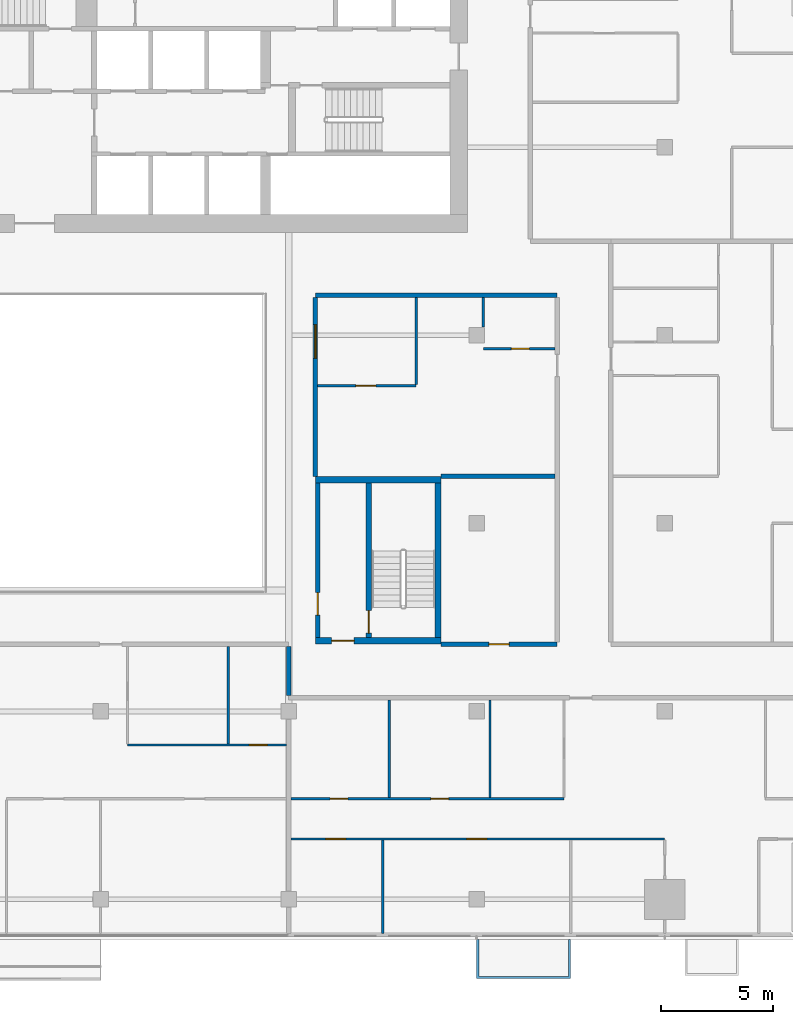
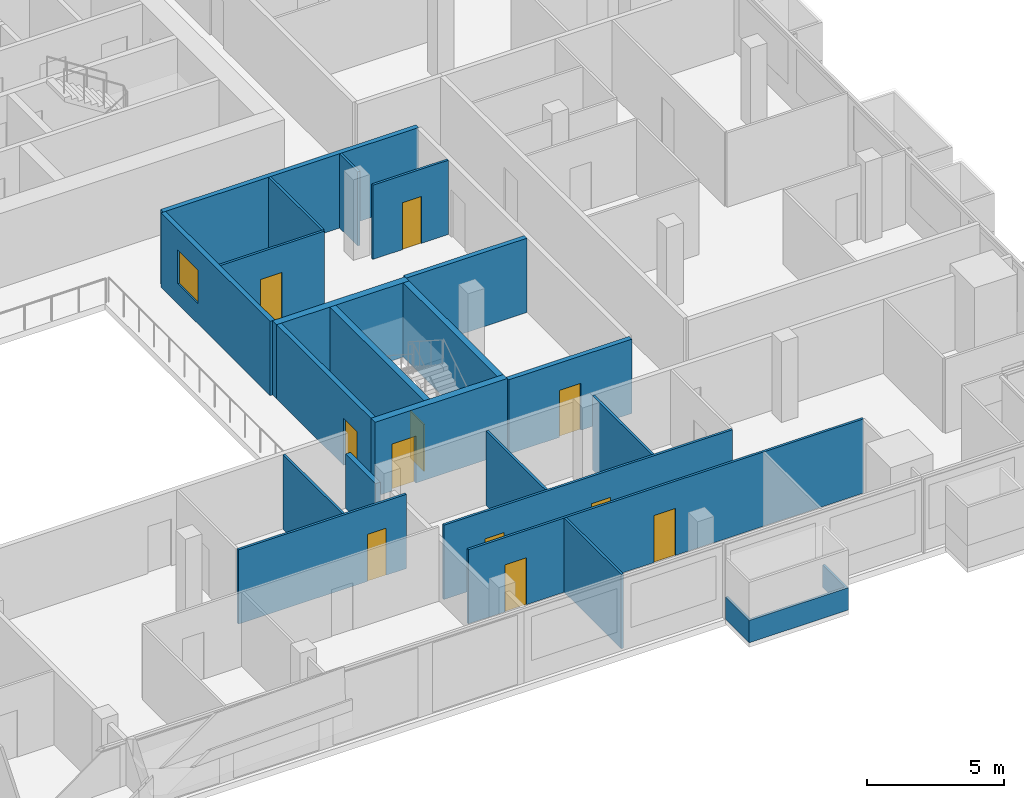
# One storey, part 20 of 28: 22 walls, 11 doors, 1 window, 12 openings.
"""IFC4 building model written with IfcOpenShell, lengths in metres."""

import ifcopenshell
import ifcopenshell.guid

model = None  # the IFC model being written
_history = None  # IfcOwnerHistory: only IFC2X3 demands one
_inside = {}  # id of a spatial element -> (the spatial element, [elements in it])
_under = {}  # id of a project, library or spatial element -> (it, [spatial elements below it])
_declared = {}  # id of a project -> (the project, [libraries it declares])
_typed = {}  # id of a type object -> (the type object, [elements of that type])
_made_of = {}  # id of a material, layer set ... -> (it, [elements and type objects made of it])


def new_model(schema):
    """Start an empty IFC model of exactly this schema.

    Asked for "IFC4X3", IfcOpenShell would pick the latest addendum, in which some entities
    have other attributes; the version numbers below select the first issue.
    IFC2X3 requires an IfcOwnerHistory on every rooted entity: one is made here for all.
    """
    global model, _history
    if schema == "IFC4X3":
        model = ifcopenshell.file(schema_version=(4, 3, 0, 0))
    else:
        model = ifcopenshell.file(schema=schema)
    _inside.clear()
    _under.clear()
    _declared.clear()
    _typed.clear()
    _made_of.clear()
    _history = None
    if model.schema == "IFC2X3":
        org = make("IfcOrganization", Name="unknown")
        user = make(
            "IfcPersonAndOrganization",
            ThePerson=make("IfcPerson", FamilyName="unknown"),
            TheOrganization=org,
        )
        app = make(
            "IfcApplication",
            ApplicationDeveloper=org,
            Version="unknown",
            ApplicationFullName="unknown",
            ApplicationIdentifier="unknown",
        )
        _history = make(
            "IfcOwnerHistory",
            OwningUser=user,
            OwningApplication=app,
            ChangeAction="ADDED",
            CreationDate=0,
        )
    return model


def make(cls, **values):
    """One entity of the class cls with the attributes given. An attribute that is None is left unset."""
    return model.create_entity(
        cls, **{name: value for name, value in values.items() if value is not None}
    )


def rooted(cls, **values):
    """An entity with a GlobalId (a new one), such as an element, a storey or a relation."""
    return make(cls, GlobalId=ifcopenshell.guid.new(), OwnerHistory=_history, **values)


def si_unit(unit_type, name, prefix=None):
    """IfcSIUnit, for example si_unit("LENGTHUNIT", "METRE", prefix="MILLI")."""
    return make("IfcSIUnit", UnitType=unit_type, Prefix=prefix, Name=name)


def assignment(units):
    """IfcUnitAssignment: the units of a project."""
    return None if units is None else make("IfcUnitAssignment", Units=units)


def point(xyz):
    """IfcCartesianPoint."""
    return None if xyz is None else make("IfcCartesianPoint", Coordinates=xyz)


def direction(xyz):
    """IfcDirection."""
    return None if xyz is None else make("IfcDirection", DirectionRatios=xyz)


def frame(location, z_axis=None, x_axis=None):
    """IfcAxis2Placement3D, a coordinate frame: its origin and axes. An axis left out is left unset."""
    return make(
        "IfcAxis2Placement3D",
        Location=point(location),
        Axis=direction(z_axis),
        RefDirection=direction(x_axis),
    )


def frame_2d(location, x_axis=None):
    """IfcAxis2Placement2D, a coordinate frame in the plane: its origin and x axis."""
    return make(
        "IfcAxis2Placement2D", Location=point(location), RefDirection=direction(x_axis)
    )


def origin():
    """The frame at (0, 0, 0) with its axes left unset."""
    return frame((0.0, 0.0, 0.0))


def place(relative_to, where):
    """IfcLocalPlacement: puts the frame where relative to a parent placement (None: the world)."""
    return make(
        "IfcLocalPlacement", PlacementRelTo=relative_to, RelativePlacement=where
    )


def context(
    kind, dimensions, precision=None, world=None, true_north=None, identifier=None
):
    """IfcGeometricRepresentationContext, for example the 3D "Model" context."""
    return make(
        "IfcGeometricRepresentationContext",
        ContextIdentifier=identifier,
        ContextType=kind,
        CoordinateSpaceDimension=dimensions,
        Precision=precision,
        WorldCoordinateSystem=world,
        TrueNorth=true_north,
    )


def subcontext(parent, identifier, kind, view, scale=None):
    """IfcGeometricRepresentationSubContext, for example "Body" below "Model"."""
    return make(
        "IfcGeometricRepresentationSubContext",
        ContextIdentifier=identifier,
        ContextType=kind,
        ParentContext=parent,
        TargetScale=scale,
        TargetView=view,
    )


def project(units=None, contexts=None):
    """IfcProject with its units and contexts."""
    return rooted(
        "IfcProject",
        Name="project",
        RepresentationContexts=contexts,
        UnitsInContext=assignment(units),
    )


def spatial(cls, under=None, at=None, **own):
    """A site, building, storey or space (cls), placed at a placement, below another one or the project."""
    s = rooted(cls, ObjectPlacement=at, **own)
    if under is not None:
        _under.setdefault(under.id(), (under, []))[1].append(s)
    return s


def polyline(points):
    """IfcPolyline through the points."""
    return make("IfcPolyline", Points=[point(p) for p in points])


def profile(cls, at=None, kind="AREA", **sizes):
    """A parametric profile (cls). Its sizes go by their IFC names, for example OverallWidth=200.0."""
    return make(cls, ProfileType=kind, Position=at, **sizes)


def rectangle(**sizes):
    """IfcRectangleProfileDef."""
    return profile("IfcRectangleProfileDef", **sizes)


def outline(outer, holes=None, kind="AREA"):
    """IfcArbitraryClosedProfileDef: a profile drawn as a closed curve; with holes, ...WithVoids."""
    if holes is None:
        return make("IfcArbitraryClosedProfileDef", ProfileType=kind, OuterCurve=outer)
    return make(
        "IfcArbitraryProfileDefWithVoids",
        ProfileType=kind,
        OuterCurve=outer,
        InnerCurves=holes,
    )


def extrude(swept, where, along, depth):
    """IfcExtrudedAreaSolid: the profile swept, set in the frame where, extruded along a direction by depth."""
    return make(
        "IfcExtrudedAreaSolid",
        SweptArea=swept,
        Position=where,
        ExtrudedDirection=direction(along),
        Depth=depth,
    )


def shape(context_of_items, identifier, shape_type, items):
    """IfcShapeRepresentation: the items that make up one representation, for example the "Body"."""
    return make(
        "IfcShapeRepresentation",
        ContextOfItems=context_of_items,
        RepresentationIdentifier=identifier,
        RepresentationType=shape_type,
        Items=items,
    )


def material(Name=None, Category=None):
    """IfcMaterial."""
    return make("IfcMaterial", Name=Name, Category=Category)


def layer(
    of_material, thickness, ventilated=None, Name=None, Category=None, Priority=None
):
    """IfcMaterialLayer: one layer of a wall or slab, of a material (None: an air gap)."""
    return make(
        "IfcMaterialLayer",
        Material=of_material,
        LayerThickness=thickness,
        IsVentilated=ventilated,
        Name=Name,
        Category=Category,
        Priority=Priority,
    )


def layer_set(layers, Name=None):
    """IfcMaterialLayerSet."""
    return make("IfcMaterialLayerSet", MaterialLayers=layers, LayerSetName=Name)


def made_of(thing, what):
    """Note that an element or type object is made of a material, layer set ...; save() writes the relation."""
    if what is not None:
        _made_of.setdefault(what.id(), (what, []))[1].append(thing)
    return thing


def type_object(cls, material=None, **own):
    """A type object (cls), such as IfcWallType, which elements share."""
    return made_of(rooted(cls, **own), material)


def element(
    cls,
    number,
    at=None,
    inside=None,
    cuts=None,
    type_object=None,
    material=None,
    context=None,
    identifier="Body",
    shape_type=None,
    held_by="IfcProductDefinitionShape",
    body=None,
    shapes=None,
    **own,
):
    """One element of the class cls, such as IfcWall. Its Tag is "e" and its number.

    at: its placement. inside: the storey or other place that contains it. cuts: it is an
    opening in that element (IfcRelVoidsElement). A single representation is given by context,
    identifier, shape_type and body (its items); several are given by shapes. held_by: the class
    of the entity that holds the representations. save() writes the other relations.
    """
    e = rooted(cls, Tag="e%d" % number, ObjectPlacement=at, **own)
    if body is not None:
        shapes = [shape(context, identifier, shape_type, body)]
    if shapes is not None:
        e.Representation = make(held_by, Representations=shapes)
    if inside is not None:
        _inside.setdefault(inside.id(), (inside, []))[1].append(e)
    if cuts is not None:
        rooted(
            "IfcRelVoidsElement", RelatingBuildingElement=cuts, RelatedOpeningElement=e
        )
    if type_object is not None:
        _typed.setdefault(type_object.id(), (type_object, []))[1].append(e)
    return made_of(e, material)


def fill(opening, filler):
    """IfcRelFillsElement: the door or window that sits in an opening."""
    return rooted(
        "IfcRelFillsElement",
        RelatingOpeningElement=opening,
        RelatedBuildingElement=filler,
    )


def aggregate(whole, parts):
    """IfcRelAggregates: a whole, such as a stair, and the parts it consists of."""
    return rooted("IfcRelAggregates", RelatingObject=whole, RelatedObjects=parts)


def save(model, path):
    """Write the relations noted so far, then the file.

    IfcRelAggregates (storeys below a building ...), IfcRelContainedInSpatialStructure (elements
    in a storey), IfcRelDefinesByType, IfcRelAssociatesMaterial and IfcRelDeclares: one each for
    every whole, place, type object, material and project.
    """
    for whole, parts in _under.values():
        aggregate(whole, parts)
    for where, things in _inside.values():
        rooted(
            "IfcRelContainedInSpatialStructure",
            RelatedElements=things,
            RelatingStructure=where,
        )
    for kind, things in _typed.values():
        rooted("IfcRelDefinesByType", RelatedObjects=things, RelatingType=kind)
    for what, things in _made_of.values():
        rooted("IfcRelAssociatesMaterial", RelatedObjects=things, RelatingMaterial=what)
    for by, libraries in _declared.values():
        rooted("IfcRelDeclares", RelatingContext=by, RelatedDefinitions=libraries)
    model.write(path)


model = new_model("IFC4")

# Units and contexts
model_context = context("Model", 3, precision=1e-05, world=origin(), true_north=direction((0.0, 1.0)))
body_context = subcontext(model_context, "Body", "Model", "MODEL_VIEW")
ifc_project = project(units=[si_unit("LENGTHUNIT", "METRE"), si_unit("AREAUNIT", "SQUARE_METRE"), si_unit("VOLUMEUNIT", "CUBIC_METRE"), si_unit("PLANEANGLEUNIT", "RADIAN"), si_unit("MASSUNIT", "GRAM", prefix="KILO")], contexts=[model_context])

# Site, building, storey
site_placement = place(None, origin())
site = spatial("IfcSite", under=ifc_project, at=site_placement, CompositionType="ELEMENT")
building_placement = place(site_placement, origin())
building = spatial("IfcBuilding", under=site, at=building_placement, Name="Saffron Gate Tower", CompositionType="ELEMENT")
storey_placement = place(building_placement, frame((0.0, 0.0, 151.050048828125)))
storey = spatial("IfcBuildingStorey", under=building, at=storey_placement, Name="L36", CompositionType="ELEMENT", Elevation=151.050048828125)

# Wall, opening, door
ifc_material_1 = material(Name="Gypsum board partition on steel studs", Category="steel")
ifc_layer_1 = layer(ifc_material_1, 0.199951171875)
ifc_layer_set_1 = layer_set([ifc_layer_1], Name="CW10 Core partition 200")
wall_type_1 = type_object("IfcWallType", Name="CW10 Core partition 200", PredefinedType="PARTITIONING", material=ifc_layer_set_1)
wall_1_placement = place(storey_placement, frame((101.5, 43.5, 0.0), z_axis=(0.0, 0.0, 1.0), x_axis=(0.0, 1.0, 0.0)))
wall_1 = element("IfcWall", 1, at=wall_1_placement, inside=storey, type_object=wall_type_1, Name="Wall CW10-L36-E-2", PredefinedType="PARTITIONING", context=body_context, shape_type="SweptSolid", body=[
    extrude(rectangle(XDim=6.89990234375, YDim=0.199951171875, at=frame_2d((3.449951171875, 0.0))), origin(), (0.0, 0.0, 1.0), 3.320068359375),
])
opening_1_placement = place(wall_1_placement, frame((1.0, 0.0, 0.0)))
opening_1 = element("IfcOpeningElement", 2, at=opening_1_placement, cuts=wall_1, Name="Opening CR-22", PredefinedType="OPENING", context=body_context, shape_type="SweptSolid", body=[
    extrude(rectangle(XDim=1.0, YDim=2.10009765625, at=frame_2d((0.5, 1.050048828125))), frame((0.0, 0.10986328125, 0.0), z_axis=(0.0, -1.0, 0.0), x_axis=(1.0, 0.0, 0.0)), (0.0, 0.0, 1.0), 0.219970703125),
])
ifc_material_2 = material(Name="Steel fire door set", Category="steel")
door_type_1 = type_object("IfcDoorType", Name="CD4 Lobby door 1000x2100 EI 120", OperationType="NOTDEFINED", PredefinedType="DOOR", material=ifc_material_2)
door_1_placement = place(opening_1_placement, origin())
door_1 = element("IfcDoor", 3, at=door_1_placement, inside=storey, type_object=door_type_1, Name="DOOR CR-22", OperationType="SINGLE_SWING_LEFT", OverallHeight=2.10009765625, OverallWidth=1.0, PredefinedType="DOOR", context=body_context, shape_type="SweptSolid", body=[
    extrude(rectangle(XDim=1.0, YDim=2.10009765625, at=frame_2d((0.5, 1.050048828125))), frame((0.0, 0.02490234375, 0.0), z_axis=(0.0, -1.0, 0.0), x_axis=(1.0, 0.0, 0.0)), (0.0, 0.0, 1.0), 0.050048828125),
])
fill(opening_1, door_1)

ifc_material_3 = material(Name="Concrete C60", Category="concrete")
ifc_layer_2 = layer(ifc_material_3, 0.25)
ifc_layer_set_2 = layer_set([ifc_layer_2], Name="CW14 RC core wall 250 C60")
wall_type_2 = type_object("IfcWallType", Name="CW14 RC core wall 250 C60", PredefinedType="SOLIDWALL", material=ifc_layer_set_2)
wall_2_placement = place(storey_placement, frame((103.77490234375, 43.5, 0.0), z_axis=(0.0, 0.0, 1.0), x_axis=(0.0, 1.0, 0.0)))
wall_2 = element("IfcWall", 4, at=wall_2_placement, inside=storey, type_object=wall_type_2, Name="Wall CW14-L36-E-3", PredefinedType="SOLIDWALL", context=body_context, shape_type="SweptSolid", body=[
    extrude(rectangle(XDim=6.89990234375, YDim=0.25, at=frame_2d((3.449951171875, 0.0))), origin(), (0.0, 0.0, 1.0), 3.320068359375),
])
opening_2_placement = place(wall_2_placement, frame((0.199951171875, 0.0, 0.0)))
opening_2 = element("IfcOpeningElement", 5, at=opening_2_placement, cuts=wall_2, Name="Opening CR-23", PredefinedType="OPENING", context=body_context, shape_type="SweptSolid", body=[
    extrude(rectangle(XDim=1.0, YDim=2.10009765625, at=frame_2d((0.5, 1.050048828125))), frame((0.0, 0.135009765625, 0.0), z_axis=(0.0, -1.0, 0.0), x_axis=(1.0, 0.0, 0.0)), (0.0, 0.0, 1.0), 0.27001953125),
])
door_type_2 = type_object("IfcDoorType", Name="CD5 Stair door 1000x2100 EI 120", OperationType="NOTDEFINED", PredefinedType="DOOR", material=ifc_material_2)
door_2_placement = place(opening_2_placement, origin())
door_2 = element("IfcDoor", 6, at=door_2_placement, inside=storey, type_object=door_type_2, Name="DOOR CR-23", OperationType="SINGLE_SWING_RIGHT", OverallHeight=2.10009765625, OverallWidth=1.0, PredefinedType="DOOR", context=body_context, shape_type="SweptSolid", body=[
    extrude(rectangle(XDim=1.0, YDim=2.10009765625, at=frame_2d((0.5, 1.050048828125))), frame((0.0, 0.02490234375, 0.0), z_axis=(0.0, -1.0, 0.0), x_axis=(1.0, 0.0, 0.0)), (0.0, 0.0, 1.0), 0.050048828125),
])
fill(opening_2, door_2)

# Wall
wall_3_placement = place(storey_placement, frame((106.875, 43.5, 0.0), z_axis=(0.0, 0.0, 1.0), x_axis=(0.0, 1.0, 0.0)))
element("IfcWall", 7, at=wall_3_placement, inside=storey, type_object=wall_type_2, Name="Wall CW14-L36-E-4", PredefinedType="SOLIDWALL", context=body_context, shape_type="SweptSolid", body=[
    extrude(rectangle(XDim=6.89990234375, YDim=0.25, at=frame_2d((3.449951171875, 0.0))), origin(), (0.0, 0.0, 1.0), 3.320068359375),
])

# Wall, opening, door
ifc_layer_3 = layer(ifc_material_3, 0.300048828125)
ifc_layer_set_3 = layer_set([ifc_layer_3], Name="CW17 RC core wall 300 C60")
wall_type_3 = type_object("IfcWallType", Name="CW17 RC core wall 300 C60", PredefinedType="SOLIDWALL", material=ifc_layer_set_3)
wall_4_placement = place(storey_placement, frame((101.39990234375, 43.35009765625, 0.0), z_axis=(0.0, 0.0, 1.0), x_axis=(1.0, 0.0, 0.0)))
wall_4 = element("IfcWall", 8, at=wall_4_placement, inside=storey, type_object=wall_type_3, Name="Wall CW17-L36-E-1", PredefinedType="SOLIDWALL", context=body_context, shape_type="SweptSolid", body=[
    extrude(rectangle(XDim=5.60009765625, YDim=0.300048828125, at=frame_2d((2.800048828125, 0.0))), origin(), (0.0, 0.0, 1.0), 3.320068359375),
])
opening_3_placement = place(wall_4_placement, frame((0.72509765625, 0.0, 0.0)))
opening_3 = element("IfcOpeningElement", 9, at=opening_3_placement, cuts=wall_4, Name="Opening CR-21", PredefinedType="OPENING", context=body_context, shape_type="SweptSolid", body=[
    extrude(rectangle(XDim=1.0, YDim=2.10009765625, at=frame_2d((0.5, 1.050048828125))), frame((0.0, 0.16015625, 0.0), z_axis=(0.0, -1.0, 0.0), x_axis=(1.0, 0.0, 0.0)), (0.0, 0.0, 1.0), 0.320068359375),
])
door_3_placement = place(opening_3_placement, origin())
door_3 = element("IfcDoor", 10, at=door_3_placement, inside=storey, type_object=door_type_1, Name="DOOR CR-21", OperationType="SINGLE_SWING_RIGHT", OverallHeight=2.10009765625, OverallWidth=1.0, PredefinedType="DOOR", context=body_context, shape_type="SweptSolid", body=[
    extrude(rectangle(XDim=1.0, YDim=2.10009765625, at=frame_2d((0.5, 1.050048828125))), frame((0.0, 0.02490234375, 0.0), z_axis=(0.0, -1.0, 0.0), x_axis=(1.0, 0.0, 0.0)), (0.0, 0.0, 1.0), 0.050048828125),
])
fill(opening_3, door_3)

# Wall
wall_5_placement = place(storey_placement, frame((101.39990234375, 50.550048828125, 0.0), z_axis=(0.0, 0.0, 1.0), x_axis=(1.0, 0.0, 0.0)))
element("IfcWall", 11, at=wall_5_placement, inside=storey, type_object=wall_type_3, Name="Wall CW17-L36-E-5", PredefinedType="SOLIDWALL", context=body_context, shape_type="SweptSolid", body=[
    extrude(rectangle(XDim=5.60009765625, YDim=0.300048828125, at=frame_2d((2.800048828125, 0.0))), origin(), (0.0, 0.0, 1.0), 3.320068359375),
])

# Wall, openings, doors
ifc_material_4 = material(Name="Plasterboard on steel studs", Category="steel")
ifc_layer_4 = layer(ifc_material_4, 0.10009765625)
ifc_layer_set_4 = layer_set([ifc_layer_4], Name="PW1 Partition 100")
wall_type_4 = type_object("IfcWallType", Name="PW1 Partition 100", PredefinedType="PARTITIONING", material=ifc_layer_set_4)
wall_6_placement = place(storey_placement, frame((117.0, 34.5, 0.0), z_axis=(0.0, 0.0, 1.0), x_axis=(-1.0, 0.0, 0.0)))
wall_6 = element("IfcWall", 12, at=wall_6_placement, inside=storey, type_object=wall_type_4, Name="Partition C1-3", PredefinedType="PARTITIONING", context=body_context, shape_type="SweptSolid", body=[
    extrude(rectangle(XDim=16.699951171875, YDim=0.10009765625, at=frame_2d((8.35009765625, 0.0))), origin(), (0.0, 0.0, 1.0), 3.320068359375),
])
opening_4_placement = place(wall_6_placement, frame((7.949951171875, 0.0, 0.0)))
opening_4 = element("IfcOpeningElement", 13, at=opening_4_placement, cuts=wall_6, Name="Opening C1-20", PredefinedType="OPENING", context=body_context, shape_type="SweptSolid", body=[
    extrude(rectangle(XDim=0.89990234375, YDim=2.10009765625, at=frame_2d((0.449951171875, 1.050048828125))), frame((0.0, 0.06005859375, 0.0), z_axis=(0.0, -1.0, 0.0), x_axis=(1.0, 0.0, 0.0)), (0.0, 0.0, 1.0), 0.1201171875),
])
opening_5_placement = place(wall_6_placement, frame((14.25, 0.0, 0.0)))
opening_5 = element("IfcOpeningElement", 14, at=opening_5_placement, cuts=wall_6, Name="Opening C1-19", PredefinedType="OPENING", context=body_context, shape_type="SweptSolid", body=[
    extrude(rectangle(XDim=0.89990234375, YDim=2.10009765625, at=frame_2d((0.449951171875, 1.050048828125))), frame((0.0, 0.06005859375, 0.0), z_axis=(0.0, -1.0, 0.0), x_axis=(1.0, 0.0, 0.0)), (0.0, 0.0, 1.0), 0.1201171875),
])
ifc_material_5 = material(Name="Timber door set", Category="wood")
door_type_3 = type_object("IfcDoorType", Name="RD1 Room door 900x2100", OperationType="NOTDEFINED", PredefinedType="DOOR", material=ifc_material_5)
door_4_placement = place(opening_4_placement, origin())
door_4 = element("IfcDoor", 15, at=door_4_placement, inside=storey, type_object=door_type_3, Name="Door C1-20", OperationType="SINGLE_SWING_LEFT", OverallHeight=2.10009765625, OverallWidth=0.89990234375, PredefinedType="DOOR", context=body_context, shape_type="SweptSolid", body=[
    extrude(rectangle(XDim=0.89990234375, YDim=2.10009765625, at=frame_2d((0.449951171875, 1.050048828125))), frame((0.0, 0.02490234375, 0.0), z_axis=(0.0, -1.0, 0.0), x_axis=(1.0, 0.0, 0.0)), (0.0, 0.0, 1.0), 0.050048828125),
])
fill(opening_4, door_4)
door_5_placement = place(opening_5_placement, origin())
door_5 = element("IfcDoor", 16, at=door_5_placement, inside=storey, type_object=door_type_3, Name="Door C1-19", OperationType="SINGLE_SWING_RIGHT", OverallHeight=2.10009765625, OverallWidth=0.89990234375, PredefinedType="DOOR", context=body_context, shape_type="SweptSolid", body=[
    extrude(rectangle(XDim=0.89990234375, YDim=2.10009765625, at=frame_2d((0.449951171875, 1.050048828125))), frame((0.0, 0.02490234375, 0.0), z_axis=(0.0, -1.0, 0.0), x_axis=(1.0, 0.0, 0.0)), (0.0, 0.0, 1.0), 0.050048828125),
])
fill(opening_5, door_5)

# Wall, opening, door
wall_7_placement = place(storey_placement, frame((93.0, 38.699951171875, 0.0), z_axis=(0.0, 0.0, 1.0), x_axis=(1.0, 0.0, 0.0)))
wall_7 = element("IfcWall", 17, at=wall_7_placement, inside=storey, type_object=wall_type_4, Name="Partition C1-10", PredefinedType="PARTITIONING", context=body_context, shape_type="SweptSolid", body=[
    extrude(rectangle(XDim=7.10009765625, YDim=0.10009765625, at=frame_2d((3.550048828125, 0.0))), origin(), (0.0, 0.0, 1.0), 3.320068359375),
])
opening_6_placement = place(wall_7_placement, frame((5.449951171875, 0.0, 0.0)))
opening_6 = element("IfcOpeningElement", 18, at=opening_6_placement, cuts=wall_7, Name="Opening C1-43", PredefinedType="OPENING", context=body_context, shape_type="SweptSolid", body=[
    extrude(rectangle(XDim=0.800048828125, YDim=2.10009765625, at=frame_2d((0.39990234375, 1.050048828125))), frame((0.0, 0.06005859375, 0.0), z_axis=(0.0, -1.0, 0.0), x_axis=(1.0, 0.0, 0.0)), (0.0, 0.0, 1.0), 0.1201171875),
])
door_type_4 = type_object("IfcDoorType", Name="RD2 Bathroom door 800x2100", OperationType="NOTDEFINED", PredefinedType="DOOR", material=ifc_material_5)
door_6_placement = place(opening_6_placement, origin())
door_6 = element("IfcDoor", 19, at=door_6_placement, inside=storey, type_object=door_type_4, Name="Door C1-43", OperationType="SINGLE_SWING_RIGHT", OverallHeight=2.10009765625, OverallWidth=0.800048828125, PredefinedType="DOOR", context=body_context, shape_type="SweptSolid", body=[
    extrude(rectangle(XDim=0.800048828125, YDim=2.10009765625, at=frame_2d((0.39990234375, 1.050048828125))), frame((0.0, 0.02490234375, 0.0), z_axis=(0.0, -1.0, 0.0), x_axis=(1.0, 0.0, 0.0)), (0.0, 0.0, 1.0), 0.050048828125),
])
fill(opening_6, door_6)

wall_8_placement = place(storey_placement, frame((101.5, 54.75, 0.0), z_axis=(0.0, 0.0, 1.0), x_axis=(1.0, 0.0, 0.0)))
wall_8 = element("IfcWall", 20, at=wall_8_placement, inside=storey, type_object=wall_type_4, Name="Partition C1-33", PredefinedType="PARTITIONING", context=body_context, shape_type="SweptSolid", body=[
    extrude(rectangle(XDim=4.39990234375, YDim=0.10009765625, at=frame_2d((2.199951171875, 0.0))), origin(), (0.0, 0.0, 1.0), 3.320068359375),
])
opening_7_placement = place(wall_8_placement, frame((1.699951171875, 0.0, 0.0)))
opening_7 = element("IfcOpeningElement", 21, at=opening_7_placement, cuts=wall_8, Name="Opening C1-38", PredefinedType="OPENING", context=body_context, shape_type="SweptSolid", body=[
    extrude(rectangle(XDim=0.89990234375, YDim=2.10009765625, at=frame_2d((0.449951171875, 1.050048828125))), frame((0.0, 0.06005859375, 0.0), z_axis=(0.0, -1.0, 0.0), x_axis=(1.0, 0.0, 0.0)), (0.0, 0.0, 1.0), 0.1201171875),
])
door_7_placement = place(opening_7_placement, origin())
door_7 = element("IfcDoor", 22, at=door_7_placement, inside=storey, type_object=door_type_3, Name="Door C1-38", OperationType="SINGLE_SWING_LEFT", OverallHeight=2.10009765625, OverallWidth=0.89990234375, PredefinedType="DOOR", context=body_context, shape_type="SweptSolid", body=[
    extrude(rectangle(XDim=0.89990234375, YDim=2.10009765625, at=frame_2d((0.449951171875, 1.050048828125))), frame((0.0, 0.02490234375, 0.0), z_axis=(0.0, -1.0, 0.0), x_axis=(1.0, 0.0, 0.0)), (0.0, 0.0, 1.0), 0.050048828125),
])
fill(opening_7, door_7)

wall_9_placement = place(storey_placement, frame((108.89990234375, 56.39990234375, 0.0), z_axis=(0.0, 0.0, 1.0), x_axis=(1.0, 0.0, 0.0)))
wall_9 = element("IfcWall", 23, at=wall_9_placement, inside=storey, type_object=wall_type_4, Name="Partition C1-35", PredefinedType="PARTITIONING", context=body_context, shape_type="SweptSolid", body=[
    extrude(rectangle(XDim=3.2001953125, YDim=0.10009765625, at=frame_2d((1.60009765625, 0.0))), origin(), (0.0, 0.0, 1.0), 3.320068359375),
])
opening_8_placement = place(wall_9_placement, frame((1.25, 0.0, 0.0)))
opening_8 = element("IfcOpeningElement", 24, at=opening_8_placement, cuts=wall_9, Name="Opening C1-53", PredefinedType="OPENING", context=body_context, shape_type="SweptSolid", body=[
    extrude(rectangle(XDim=0.800048828125, YDim=2.10009765625, at=frame_2d((0.39990234375, 1.050048828125))), frame((0.0, 0.06005859375, 0.0), z_axis=(0.0, -1.0, 0.0), x_axis=(1.0, 0.0, 0.0)), (0.0, 0.0, 1.0), 0.1201171875),
])
door_8_placement = place(opening_8_placement, origin())
door_8 = element("IfcDoor", 25, at=door_8_placement, inside=storey, type_object=door_type_4, Name="Door C1-53", OperationType="SINGLE_SWING_RIGHT", OverallHeight=2.10009765625, OverallWidth=0.800048828125, PredefinedType="DOOR", context=body_context, shape_type="SweptSolid", body=[
    extrude(rectangle(XDim=0.800048828125, YDim=2.10009765625, at=frame_2d((0.39990234375, 1.050048828125))), frame((0.0, 0.02490234375, 0.0), z_axis=(0.0, -1.0, 0.0), x_axis=(1.0, 0.0, 0.0)), (0.0, 0.0, 1.0), 0.050048828125),
])
fill(opening_8, door_8)

# Walls
wall_10_placement = place(storey_placement, frame((97.5, 43.10009765625, 0.0), z_axis=(0.0, 0.0, 1.0), x_axis=(0.0, -1.0, 0.0)))
element("IfcWall", 26, at=wall_10_placement, inside=storey, type_object=wall_type_4, Name="Partition C1-90", PredefinedType="PARTITIONING", context=body_context, shape_type="SweptSolid", body=[
    extrude(rectangle(XDim=4.35009765625, YDim=0.10009765625, at=frame_2d((2.175048828125, 0.0))), origin(), (0.0, 0.0, 1.0), 3.320068359375),
])
wall_11_placement = place(storey_placement, frame((104.39990234375, 34.449951171875, 0.0), z_axis=(0.0, 0.0, 1.0), x_axis=(0.0, -1.0, 0.0)))
element("IfcWall", 27, at=wall_11_placement, inside=storey, type_object=wall_type_4, Name="Partition C1-95", PredefinedType="PARTITIONING", context=body_context, shape_type="SweptSolid", body=[
    extrude(rectangle(XDim=4.169921875, YDim=0.10009765625, at=frame_2d((2.0849609375, 0.0))), origin(), (0.0, 0.0, 1.0), 3.320068359375),
])
wall_12_placement = place(storey_placement, frame((104.699951171875, 40.699951171875, 0.0), z_axis=(0.0, 0.0, 1.0), x_axis=(0.0, -1.0, 0.0)))
element("IfcWall", 28, at=wall_12_placement, inside=storey, type_object=wall_type_4, Name="Partition C1-96", PredefinedType="PARTITIONING", context=body_context, shape_type="SweptSolid", body=[
    extrude(rectangle(XDim=4.349853515625, YDim=0.10009765625, at=frame_2d((2.1748046875, 0.0))), origin(), (0.0, 0.0, 1.0), 3.320068359375),
])
wall_13_placement = place(storey_placement, frame((105.89990234375, 58.699951171875, 0.0), z_axis=(0.0, 0.0, 1.0), x_axis=(0.0, -1.0, 0.0)))
element("IfcWall", 29, at=wall_13_placement, inside=storey, type_object=wall_type_4, Name="Partition C1-97", PredefinedType="PARTITIONING", context=body_context, shape_type="SweptSolid", body=[
    extrude(rectangle(XDim=3.89990234375, YDim=0.10009765625, at=frame_2d((1.949951171875, 0.0))), origin(), (0.0, 0.0, 1.0), 3.320068359375),
])
wall_14_placement = place(storey_placement, frame((108.89990234375, 58.699951171875, 0.0), z_axis=(0.0, 0.0, 1.0), x_axis=(0.0, -1.0, 0.0)))
element("IfcWall", 30, at=wall_14_placement, inside=storey, type_object=wall_type_4, Name="Partition C1-98", PredefinedType="PARTITIONING", context=body_context, shape_type="SweptSolid", body=[
    extrude(rectangle(XDim=1.329833984375, YDim=0.10009765625, at=frame_2d((0.6650390625, 0.0))), origin(), (0.0, 0.0, 1.0), 3.320068359375),
])
wall_15_placement = place(storey_placement, frame((109.199951171875, 40.699951171875, 0.0), z_axis=(0.0, 0.0, 1.0), x_axis=(0.0, -1.0, 0.0)))
element("IfcWall", 31, at=wall_15_placement, inside=storey, type_object=wall_type_4, Name="Partition C1-99", PredefinedType="PARTITIONING", context=body_context, shape_type="SweptSolid", body=[
    extrude(rectangle(XDim=4.349853515625, YDim=0.10009765625, at=frame_2d((2.1748046875, 0.0))), origin(), (0.0, 0.0, 1.0), 3.320068359375),
])

# Wall, openings, doors
wall_16_placement = place(storey_placement, frame((100.300048828125, 36.300048828125, 0.0), z_axis=(0.0, 0.0, 1.0), x_axis=(1.0, 0.0, 0.0)))
wall_16 = element("IfcWall", 32, at=wall_16_placement, inside=storey, type_object=wall_type_4, Name="Partition C1-119", PredefinedType="PARTITIONING", context=body_context, shape_type="SweptSolid", body=[
    extrude(rectangle(XDim=12.199951171875, YDim=0.10009765625, at=frame_2d((6.10009765625, 0.0))), origin(), (0.0, 0.0, 1.0), 3.320068359375),
])
opening_9_placement = place(wall_16_placement, frame((1.75, 0.0, 0.0)))
opening_9 = element("IfcOpeningElement", 33, at=opening_9_placement, cuts=wall_16, Name="Opening C1-44", PredefinedType="OPENING", context=body_context, shape_type="SweptSolid", body=[
    extrude(rectangle(XDim=0.800048828125, YDim=2.10009765625, at=frame_2d((0.39990234375, 1.050048828125))), frame((0.0, 0.06005859375, 0.0), z_axis=(0.0, -1.0, 0.0), x_axis=(1.0, 0.0, 0.0)), (0.0, 0.0, 1.0), 0.1201171875),
])
opening_10_placement = place(wall_16_placement, frame((6.25, 0.0, 0.0)))
opening_10 = element("IfcOpeningElement", 34, at=opening_10_placement, cuts=wall_16, Name="Opening C1-45", PredefinedType="OPENING", context=body_context, shape_type="SweptSolid", body=[
    extrude(rectangle(XDim=0.800048828125, YDim=2.10009765625, at=frame_2d((0.39990234375, 1.050048828125))), frame((0.0, 0.06005859375, 0.0), z_axis=(0.0, -1.0, 0.0), x_axis=(1.0, 0.0, 0.0)), (0.0, 0.0, 1.0), 0.1201171875),
])
door_9_placement = place(opening_9_placement, origin())
door_9 = element("IfcDoor", 35, at=door_9_placement, inside=storey, type_object=door_type_4, Name="Door C1-44", OperationType="SINGLE_SWING_LEFT", OverallHeight=2.10009765625, OverallWidth=0.800048828125, PredefinedType="DOOR", context=body_context, shape_type="SweptSolid", body=[
    extrude(rectangle(XDim=0.800048828125, YDim=2.10009765625, at=frame_2d((0.39990234375, 1.050048828125))), frame((0.0, 0.02490234375, 0.0), z_axis=(0.0, -1.0, 0.0), x_axis=(1.0, 0.0, 0.0)), (0.0, 0.0, 1.0), 0.050048828125),
])
fill(opening_9, door_9)
door_10_placement = place(opening_10_placement, origin())
door_10 = element("IfcDoor", 36, at=door_10_placement, inside=storey, type_object=door_type_4, Name="Door C1-45", OperationType="SINGLE_SWING_RIGHT", OverallHeight=2.10009765625, OverallWidth=0.800048828125, PredefinedType="DOOR", context=body_context, shape_type="SweptSolid", body=[
    extrude(rectangle(XDim=0.800048828125, YDim=2.10009765625, at=frame_2d((0.39990234375, 1.050048828125))), frame((0.0, 0.02490234375, 0.0), z_axis=(0.0, -1.0, 0.0), x_axis=(1.0, 0.0, 0.0)), (0.0, 0.0, 1.0), 0.050048828125),
])
fill(opening_10, door_10)

# Wall
ifc_material_6 = material(Name="Clay brick masonry, rendered", Category="masonry")
ifc_layer_5 = layer(ifc_material_6, 0.199951171875)
ifc_layer_set_5 = layer_set([ifc_layer_5], Name="PW2 Demising wall 200")
wall_type_5 = type_object("IfcWallType", Name="PW2 Demising wall 200", PredefinedType="PARTITIONING", material=ifc_layer_set_5)
wall_17_placement = place(storey_placement, frame((107.0, 50.699951171875, 0.0), z_axis=(0.0, 0.0, 1.0), x_axis=(1.0, 0.0, 0.0)))
element("IfcWall", 37, at=wall_17_placement, inside=storey, type_object=wall_type_5, Name="Wall C1-27", PredefinedType="PARTITIONING", context=body_context, shape_type="SweptSolid", body=[
    extrude(rectangle(XDim=5.10009765625, YDim=0.199951171875, at=frame_2d((2.550048828125, 0.0))), origin(), (0.0, 0.0, 1.0), 3.320068359375),
])

# Wall, opening, door
ifc_layer_6 = layer(ifc_material_6, 0.199951171875)
ifc_layer_set_6 = layer_set([ifc_layer_6], Name="PW3 Corridor wall 200")
wall_type_6 = type_object("IfcWallType", Name="PW3 Corridor wall 200", PredefinedType="PARTITIONING", material=ifc_layer_set_6)
wall_18_placement = place(storey_placement, frame((107.0, 43.199951171875, 0.0), z_axis=(0.0, 0.0, 1.0), x_axis=(1.0, 0.0, 0.0)))
wall_18 = element("IfcWall", 38, at=wall_18_placement, inside=storey, type_object=wall_type_6, Name="Wall C1-18", PredefinedType="PARTITIONING", context=body_context, shape_type="SweptSolid", body=[
    extrude(rectangle(XDim=5.199951171875, YDim=0.199951171875, at=frame_2d((2.60009765625, 0.0))), origin(), (0.0, 0.0, 1.0), 3.320068359375),
])
opening_11_placement = place(wall_18_placement, frame((2.14990234375, 0.0, 0.0)))
opening_11 = element("IfcOpeningElement", 39, at=opening_11_placement, cuts=wall_18, Name="Opening C1-54", PredefinedType="OPENING", context=body_context, shape_type="SweptSolid", body=[
    extrude(rectangle(XDim=0.89990234375, YDim=2.10009765625, at=frame_2d((0.449951171875, 1.050048828125))), frame((0.0, 0.10986328125, 0.0), z_axis=(0.0, -1.0, 0.0), x_axis=(1.0, 0.0, 0.0)), (0.0, 0.0, 1.0), 0.219970703125),
])
door_type_5 = type_object("IfcDoorType", Name="SD1 Service door 900x2100", OperationType="NOTDEFINED", PredefinedType="DOOR", material=ifc_material_2)
door_11_placement = place(opening_11_placement, origin())
door_11 = element("IfcDoor", 40, at=door_11_placement, inside=storey, type_object=door_type_5, Name="Door C1-54", OperationType="SINGLE_SWING_LEFT", OverallHeight=2.10009765625, OverallWidth=0.89990234375, PredefinedType="DOOR", context=body_context, shape_type="SweptSolid", body=[
    extrude(rectangle(XDim=0.89990234375, YDim=2.10009765625, at=frame_2d((0.449951171875, 1.050048828125))), frame((0.0, 0.02490234375, 0.0), z_axis=(0.0, -1.0, 0.0), x_axis=(1.0, 0.0, 0.0)), (0.0, 0.0, 1.0), 0.050048828125),
])
fill(opening_11, door_11)

# Walls
wall_19_placement = place(storey_placement, frame((101.39990234375, 58.800048828125, 0.0), z_axis=(0.0, 0.0, 1.0), x_axis=(1.0, 0.0, 0.0)))
element("IfcWall", 41, at=wall_19_placement, inside=storey, type_object=wall_type_6, Name="Wall C1-40", PredefinedType="PARTITIONING", context=body_context, shape_type="SweptSolid", body=[
    extrude(rectangle(XDim=10.800048828125, YDim=0.199951171875, at=frame_2d((5.39990234375, 0.0))), origin(), (0.0, 0.0, 1.0), 3.320068359375),
])
wall_20_placement = place(storey_placement, frame((100.199951171875, 43.10009765625, 0.0), z_axis=(0.0, 0.0, 1.0), x_axis=(0.0, -1.0, 0.0)))
element("IfcWall", 42, at=wall_20_placement, inside=storey, type_object=wall_type_6, Name="Wall C1-91", PredefinedType="PARTITIONING", context=body_context, shape_type="SweptSolid", body=[
    extrude(rectangle(XDim=2.2001953125, YDim=0.199951171875, at=frame_2d((1.10009765625, 0.0))), origin(), (0.0, 0.0, 1.0), 2.429931640625),
])

# Wall, opening, window
wall_21_placement = place(storey_placement, frame((101.39990234375, 58.699951171875, 0.0), z_axis=(0.0, 0.0, 1.0), x_axis=(0.0, -1.0, 0.0)))
wall_21 = element("IfcWall", 43, at=wall_21_placement, inside=storey, type_object=wall_type_6, Name="Wall C1-94", PredefinedType="PARTITIONING", context=body_context, shape_type="SweptSolid", body=[
    extrude(rectangle(XDim=8.0, YDim=0.199951171875, at=frame_2d((4.0, 0.0))), origin(), (0.0, 0.0, 1.0), 3.320068359375),
])
opening_12_placement = place(wall_21_placement, frame((1.22509765625, 0.0, 0.89990234375)))
opening_12 = element("IfcOpeningElement", 44, at=opening_12_placement, cuts=wall_21, Name="Opening GW1", PredefinedType="OPENING", context=body_context, shape_type="SweptSolid", body=[
    extrude(rectangle(XDim=1.5, YDim=1.5, at=frame_2d((0.75, 0.75))), frame((0.0, 0.10986328125, 0.0), z_axis=(0.0, -1.0, 0.0), x_axis=(1.0, 0.0, 0.0)), (0.0, 0.0, 1.0), 0.219970703125),
])
ifc_material_7 = material(Name="Fire-resisting laminated glass in steel frame", Category="steel")
ifc_layer_7 = layer(ifc_material_7, 0.06005859375)
ifc_layer_set_7 = layer_set([ifc_layer_7], Name="GW1 Gallery window 1500x1500")
window_type = type_object("IfcWindowType", Name="GW1 Gallery window 1500x1500", PartitioningType="SINGLE_PANEL", PredefinedType="WINDOW", material=ifc_layer_set_7)
window_placement = place(opening_12_placement, origin())
window = element("IfcWindow", 45, at=window_placement, inside=storey, type_object=window_type, Name="GW1 window C1-K-B1", OverallHeight=1.5, OverallWidth=1.5, PartitioningType="SINGLE_PANEL", PredefinedType="WINDOW", context=body_context, shape_type="SweptSolid", body=[
    extrude(rectangle(XDim=1.5, YDim=1.5, at=frame_2d((0.75, 0.75))), frame((0.0, 0.030029296875, 0.0), z_axis=(0.0, -1.0, 0.0), x_axis=(1.0, 0.0, 0.0)), (0.0, 0.0, 1.0), 0.06005859375),
])
fill(opening_12, window)

# Wall
ifc_material_8 = material(Name="Rendered insulated panel, white")
ifc_layer_8 = layer(ifc_material_8, 0.10009765625)
ifc_layer_set_8 = layer_set([ifc_layer_8], Name="WB3 box parapet white")
wall_type_7 = type_object("IfcWallType", Name="WB3 box parapet white", PredefinedType="SOLIDWALL", material=ifc_layer_set_8)
wall_22_placement = place(storey_placement, origin())
element("IfcWall", 46, at=wall_22_placement, inside=storey, type_object=wall_type_7, Name="WINDOW BOX parapet", PredefinedType="SOLIDWALL", context=body_context, shape_type="SweptSolid", body=[
    extrude(outline(polyline([(108.60009765625, 30.0), (108.699951171875, 30.0), (108.699951171875, 28.366943359375), (112.699951171875, 28.366943359375), (112.699951171875, 30.0), (112.800048828125, 30.0), (112.800048828125, 28.26708984375), (108.60009765625, 28.26708984375), (108.60009765625, 30.0)])), origin(), (0.0, 0.0, 1.0), 1.0),
])

save(model, "model.ifc")
